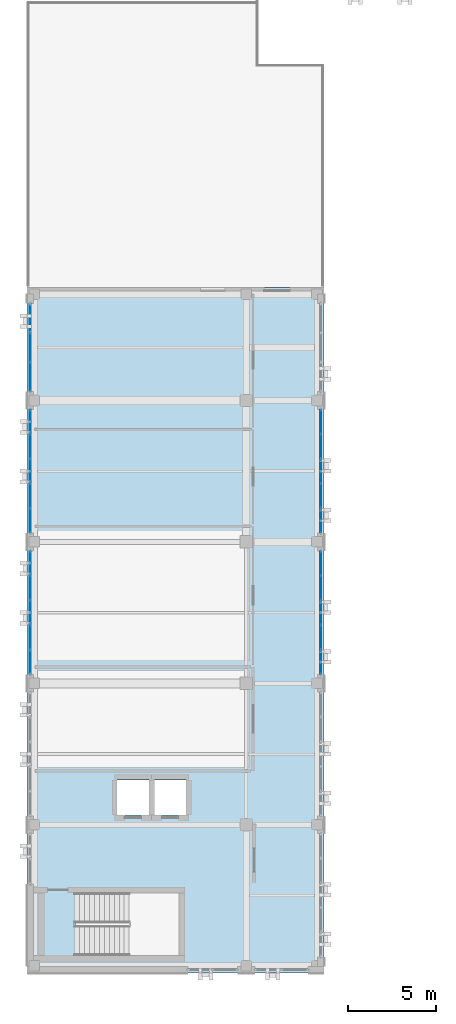
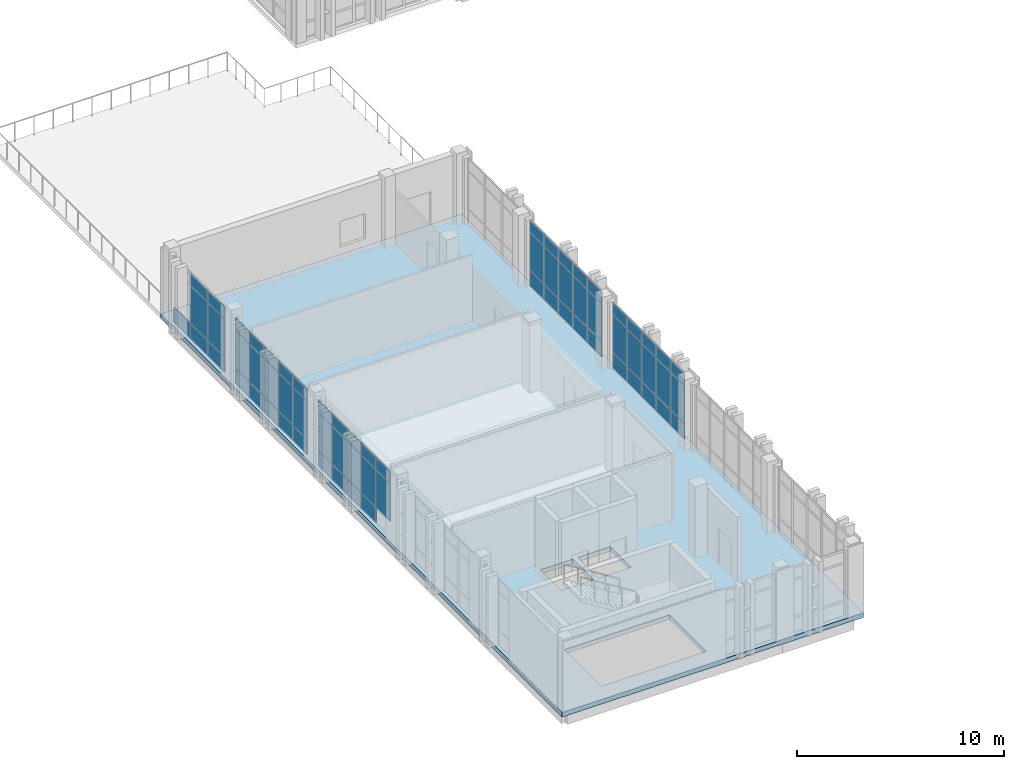
# One storey, part 52 of 77: 66 plates, 1 slab, 5 elements without a shape of their own.
"""IFC4 building model written with IfcOpenShell, lengths in metres."""

from ifc_helpers import new_model, si_unit, direction, frame, origin, origin_2d, place, context, subcontext, project, spatial, polyline, rectangle, outline, extrude, material, layer, layer_set, type_object, element, aggregate, save


model = new_model("IFC4")

# Units and contexts
model_context = context("Model", 3, precision=1e-05, world=origin(), true_north=direction((0.0, 1.0)))
body_context = subcontext(model_context, "Body", "Model", "MODEL_VIEW")
ifc_project = project(units=[si_unit("LENGTHUNIT", "METRE"), si_unit("AREAUNIT", "SQUARE_METRE"), si_unit("VOLUMEUNIT", "CUBIC_METRE"), si_unit("PLANEANGLEUNIT", "RADIAN"), si_unit("MASSUNIT", "GRAM", prefix="KILO")], contexts=[model_context])

# Site, building, storey
site_placement = place(None, origin())
site = spatial("IfcSite", under=ifc_project, at=site_placement, CompositionType="ELEMENT")
building_placement = place(site_placement, origin())
building = spatial("IfcBuilding", under=site, at=building_placement, Name="Qalavern Law Courts", CompositionType="ELEMENT")
storey_placement = place(building_placement, frame((0.0, 0.0, 27.0)))
storey = spatial("IfcBuildingStorey", under=building, at=storey_placement, Name="L06", CompositionType="ELEMENT", Elevation=27.0)

# Curtain wall, plates
ifc_material_1 = material(Name="Anodised aluminium and insulated glazing", Category="aluminium")
ifc_layer_1 = layer(ifc_material_1, 0.159912109375)
ifc_layer_set_1 = layer_set([ifc_layer_1], Name="Anodised aluminium and insulated glazing")
curtain_wall_type = type_object("IfcCurtainWallType", Name="ENV-CW-CHAMB", PredefinedType="USERDEFINED", material=ifc_layer_set_1)
curtain_wall_1_placement = place(storey_placement, origin())
curtain_wall_1 = element("IfcCurtainWall", 1, at=curtain_wall_1_placement, inside=storey, type_object=curtain_wall_type, Name="V3 unitised curtain wall L06 west 1", ObjectType="UNITISED CURTAIN WALL", PredefinedType="USERDEFINED")
ifc_material_2 = material(Name="Insulated low-E acoustic glazing", Category="glass")
ifc_layer_2 = layer(ifc_material_2, 0.031982421875)
ifc_layer_set_2 = layer_set([ifc_layer_2], Name="Insulated low-E acoustic glazing")
plate_type_1 = type_object("IfcPlateType", Name="ENV-CWP-32", PredefinedType="CURTAIN_PANEL", material=ifc_layer_set_2)
plate_1_placement = place(storey_placement, frame((2.18505859375, 78.042236328125, 0.048095703125), z_axis=(0.0, 0.0, 1.0), x_axis=(0.0, -1.0, 0.0)))
plate_1 = element("IfcPlate", 2, at=plate_1_placement, type_object=plate_type_1, Name="CW-04 panel 1.1", PredefinedType="CURTAIN_PANEL", context=body_context, shape_type="SweptSolid", body=[
    extrude(rectangle(XDim=1.589599609375, YDim=0.031982421875, at=origin_2d()), origin(), (0.0, 0.0, 1.0), 0.8779296875),
])
plate_2_placement = place(storey_placement, frame((2.18505859375, 76.392578125, 0.048095703125), z_axis=(0.0, 0.0, 1.0), x_axis=(0.0, -1.0, 0.0)))
plate_2 = element("IfcPlate", 3, at=plate_2_placement, type_object=plate_type_1, Name="CW-04 panel 2.1", PredefinedType="CURTAIN_PANEL", context=body_context, shape_type="SweptSolid", body=[
    extrude(rectangle(XDim=1.61376953125, YDim=0.031982421875, at=origin_2d()), origin(), (0.0, 0.0, 1.0), 0.8779296875),
])
plate_3_placement = place(storey_placement, frame((2.18505859375, 76.392578125, 0.973876953125), z_axis=(0.0, 0.0, 1.0), x_axis=(0.0, -1.0, 0.0)))
plate_3 = element("IfcPlate", 4, at=plate_3_placement, type_object=plate_type_1, Name="CW-04 panel 2.2", PredefinedType="CURTAIN_PANEL", context=body_context, shape_type="SweptSolid", body=[
    extrude(rectangle(XDim=1.61376953125, YDim=0.031982421875, at=origin_2d()), origin(), (0.0, 0.0, 1.0), 2.18701171875),
])
plate_4_placement = place(storey_placement, frame((2.18505859375, 76.392578125, 3.208984375), z_axis=(0.0, 0.0, 1.0), x_axis=(0.0, -1.0, 0.0)))
plate_4 = element("IfcPlate", 5, at=plate_4_placement, type_object=plate_type_1, Name="CW-04 panel 2.3", PredefinedType="CURTAIN_PANEL", context=body_context, shape_type="SweptSolid", body=[
    extrude(rectangle(XDim=1.61376953125, YDim=0.031982421875, at=origin_2d()), origin(), (0.0, 0.0, 1.0), 0.677978515625),
])
plate_5_placement = place(storey_placement, frame((2.18505859375, 74.742919921875, 0.048095703125), z_axis=(0.0, 0.0, 1.0), x_axis=(0.0, -1.0, 0.0)))
plate_5 = element("IfcPlate", 6, at=plate_5_placement, type_object=plate_type_1, Name="CW-04 panel 3.1", PredefinedType="CURTAIN_PANEL", context=body_context, shape_type="SweptSolid", body=[
    extrude(rectangle(XDim=1.589599609375, YDim=0.031982421875, at=origin_2d()), origin(), (0.0, 0.0, 1.0), 0.8779296875),
])
plate_6_placement = place(storey_placement, frame((2.18505859375, 74.742919921875, 0.973876953125), z_axis=(0.0, 0.0, 1.0), x_axis=(0.0, -1.0, 0.0)))
plate_6 = element("IfcPlate", 7, at=plate_6_placement, type_object=plate_type_1, Name="CW-04 panel 3.2", PredefinedType="CURTAIN_PANEL", context=body_context, shape_type="SweptSolid", body=[
    extrude(rectangle(XDim=1.589599609375, YDim=0.031982421875, at=origin_2d()), origin(), (0.0, 0.0, 1.0), 2.18701171875),
])
plate_7_placement = place(storey_placement, frame((2.18505859375, 74.742919921875, 3.208984375), z_axis=(0.0, 0.0, 1.0), x_axis=(0.0, -1.0, 0.0)))
plate_7 = element("IfcPlate", 8, at=plate_7_placement, type_object=plate_type_1, Name="CW-04 panel 3.3", PredefinedType="CURTAIN_PANEL", context=body_context, shape_type="SweptSolid", body=[
    extrude(rectangle(XDim=1.589599609375, YDim=0.031982421875, at=origin_2d()), origin(), (0.0, 0.0, 1.0), 0.677978515625),
])
aggregate(curtain_wall_1, [plate_1, plate_2, plate_3, plate_4, plate_5, plate_6, plate_7])

curtain_wall_2_placement = place(storey_placement, origin())
curtain_wall_2 = element("IfcCurtainWall", 9, at=curtain_wall_2_placement, inside=storey, type_object=curtain_wall_type, Name="V3 unitised curtain wall L06 west 2", ObjectType="UNITISED CURTAIN WALL", PredefinedType="USERDEFINED")
ifc_layer_3 = layer(ifc_material_2, 0.035888671875)
ifc_layer_set_3 = layer_set([ifc_layer_3], Name="Insulated low-E acoustic glazing")
plate_type_2 = type_object("IfcPlateType", Name="ENV-CWP-36", PredefinedType="CURTAIN_PANEL", material=ifc_layer_set_3)
plate_8_placement = place(storey_placement, frame((2.18505859375, 72.18798828125, 0.048095703125), z_axis=(0.0, 0.0, 1.0), x_axis=(0.0, -1.0, 0.0)))
plate_8 = element("IfcPlate", 10, at=plate_8_placement, type_object=plate_type_2, Name="CW-04 panel 1.1", PredefinedType="CURTAIN_PANEL", context=body_context, shape_type="SweptSolid", body=[
    extrude(rectangle(XDim=1.327880859375, YDim=0.035888671875, at=origin_2d()), origin(), (0.0, 0.0, 1.0), 0.8779296875),
])
plate_9_placement = place(storey_placement, frame((2.18505859375, 72.18798828125, 0.973876953125), z_axis=(0.0, 0.0, 1.0), x_axis=(0.0, -1.0, 0.0)))
plate_9 = element("IfcPlate", 11, at=plate_9_placement, type_object=plate_type_2, Name="CW-04 panel 1.2", PredefinedType="CURTAIN_PANEL", context=body_context, shape_type="SweptSolid", body=[
    extrude(rectangle(XDim=1.327880859375, YDim=0.035888671875, at=origin_2d()), origin(), (0.0, 0.0, 1.0), 2.18701171875),
])
plate_10_placement = place(storey_placement, frame((2.18505859375, 72.18798828125, 3.208984375), z_axis=(0.0, 0.0, 1.0), x_axis=(0.0, -1.0, 0.0)))
plate_10 = element("IfcPlate", 12, at=plate_10_placement, type_object=plate_type_2, Name="CW-04 panel 1.3", PredefinedType="CURTAIN_PANEL", context=body_context, shape_type="SweptSolid", body=[
    extrude(rectangle(XDim=1.327880859375, YDim=0.035888671875, at=origin_2d()), origin(), (0.0, 0.0, 1.0), 0.677978515625),
])
plate_11_placement = place(storey_placement, frame((2.18505859375, 70.800048828125, 0.048095703125), z_axis=(0.0, 0.0, 1.0), x_axis=(0.0, -1.0, 0.0)))
plate_11 = element("IfcPlate", 13, at=plate_11_placement, type_object=plate_type_2, Name="CW-04 panel 2.1", PredefinedType="CURTAIN_PANEL", context=body_context, shape_type="SweptSolid", body=[
    extrude(rectangle(XDim=1.35205078125, YDim=0.035888671875, at=origin_2d()), origin(), (0.0, 0.0, 1.0), 0.8779296875),
])
plate_12_placement = place(storey_placement, frame((2.18505859375, 70.800048828125, 0.973876953125), z_axis=(0.0, 0.0, 1.0), x_axis=(0.0, -1.0, 0.0)))
plate_12 = element("IfcPlate", 14, at=plate_12_placement, type_object=plate_type_2, Name="CW-04 panel 2.2", PredefinedType="CURTAIN_PANEL", context=body_context, shape_type="SweptSolid", body=[
    extrude(rectangle(XDim=1.35205078125, YDim=0.035888671875, at=origin_2d()), origin(), (0.0, 0.0, 1.0), 2.18701171875),
])
plate_13_placement = place(storey_placement, frame((2.18505859375, 70.800048828125, 3.208984375), z_axis=(0.0, 0.0, 1.0), x_axis=(0.0, -1.0, 0.0)))
plate_13 = element("IfcPlate", 15, at=plate_13_placement, type_object=plate_type_2, Name="CW-04 panel 2.3", PredefinedType="CURTAIN_PANEL", context=body_context, shape_type="SweptSolid", body=[
    extrude(rectangle(XDim=1.35205078125, YDim=0.035888671875, at=origin_2d()), origin(), (0.0, 0.0, 1.0), 0.677978515625),
])
plate_14_placement = place(storey_placement, frame((2.18505859375, 69.39990234375, 0.048095703125), z_axis=(0.0, 0.0, 1.0), x_axis=(0.0, -1.0, 0.0)))
plate_14 = element("IfcPlate", 16, at=plate_14_placement, type_object=plate_type_2, Name="CW-04 panel 3.1", PredefinedType="CURTAIN_PANEL", context=body_context, shape_type="SweptSolid", body=[
    extrude(rectangle(XDim=1.35205078125, YDim=0.035888671875, at=origin_2d()), origin(), (0.0, 0.0, 1.0), 0.8779296875),
])
plate_15_placement = place(storey_placement, frame((2.18505859375, 69.39990234375, 0.973876953125), z_axis=(0.0, 0.0, 1.0), x_axis=(0.0, -1.0, 0.0)))
plate_15 = element("IfcPlate", 17, at=plate_15_placement, type_object=plate_type_2, Name="CW-04 panel 3.2", PredefinedType="CURTAIN_PANEL", context=body_context, shape_type="SweptSolid", body=[
    extrude(rectangle(XDim=1.35205078125, YDim=0.035888671875, at=origin_2d()), origin(), (0.0, 0.0, 1.0), 2.18701171875),
])
plate_16_placement = place(storey_placement, frame((2.18505859375, 69.39990234375, 3.208984375), z_axis=(0.0, 0.0, 1.0), x_axis=(0.0, -1.0, 0.0)))
plate_16 = element("IfcPlate", 18, at=plate_16_placement, type_object=plate_type_2, Name="CW-04 panel 3.3", PredefinedType="CURTAIN_PANEL", context=body_context, shape_type="SweptSolid", body=[
    extrude(rectangle(XDim=1.35205078125, YDim=0.035888671875, at=origin_2d()), origin(), (0.0, 0.0, 1.0), 0.677978515625),
])
plate_17_placement = place(storey_placement, frame((2.18505859375, 68.0, 0.048095703125), z_axis=(0.0, 0.0, 1.0), x_axis=(0.0, -1.0, 0.0)))
plate_17 = element("IfcPlate", 19, at=plate_17_placement, type_object=plate_type_2, Name="CW-04 panel 4.1", PredefinedType="CURTAIN_PANEL", context=body_context, shape_type="SweptSolid", body=[
    extrude(rectangle(XDim=1.35205078125, YDim=0.035888671875, at=origin_2d()), origin(), (0.0, 0.0, 1.0), 0.8779296875),
])
plate_18_placement = place(storey_placement, frame((2.18505859375, 68.0, 0.973876953125), z_axis=(0.0, 0.0, 1.0), x_axis=(0.0, -1.0, 0.0)))
plate_18 = element("IfcPlate", 20, at=plate_18_placement, type_object=plate_type_2, Name="CW-04 panel 4.2", PredefinedType="CURTAIN_PANEL", context=body_context, shape_type="SweptSolid", body=[
    extrude(rectangle(XDim=1.35205078125, YDim=0.035888671875, at=origin_2d()), origin(), (0.0, 0.0, 1.0), 2.18701171875),
])
plate_19_placement = place(storey_placement, frame((2.18505859375, 68.0, 3.208984375), z_axis=(0.0, 0.0, 1.0), x_axis=(0.0, -1.0, 0.0)))
plate_19 = element("IfcPlate", 21, at=plate_19_placement, type_object=plate_type_2, Name="CW-04 panel 4.3", PredefinedType="CURTAIN_PANEL", context=body_context, shape_type="SweptSolid", body=[
    extrude(rectangle(XDim=1.35205078125, YDim=0.035888671875, at=origin_2d()), origin(), (0.0, 0.0, 1.0), 0.677978515625),
])
plate_20_placement = place(storey_placement, frame((2.18505859375, 66.612060546875, 0.048095703125), z_axis=(0.0, 0.0, 1.0), x_axis=(0.0, -1.0, 0.0)))
plate_20 = element("IfcPlate", 22, at=plate_20_placement, type_object=plate_type_2, Name="CW-04 panel 5.1", PredefinedType="CURTAIN_PANEL", context=body_context, shape_type="SweptSolid", body=[
    extrude(rectangle(XDim=1.327880859375, YDim=0.035888671875, at=origin_2d()), origin(), (0.0, 0.0, 1.0), 0.8779296875),
])
plate_21_placement = place(storey_placement, frame((2.18505859375, 66.612060546875, 0.973876953125), z_axis=(0.0, 0.0, 1.0), x_axis=(0.0, -1.0, 0.0)))
plate_21 = element("IfcPlate", 23, at=plate_21_placement, type_object=plate_type_2, Name="CW-04 panel 5.2", PredefinedType="CURTAIN_PANEL", context=body_context, shape_type="SweptSolid", body=[
    extrude(rectangle(XDim=1.327880859375, YDim=0.035888671875, at=origin_2d()), origin(), (0.0, 0.0, 1.0), 2.18701171875),
])
plate_22_placement = place(storey_placement, frame((2.18505859375, 66.612060546875, 3.208984375), z_axis=(0.0, 0.0, 1.0), x_axis=(0.0, -1.0, 0.0)))
plate_22 = element("IfcPlate", 24, at=plate_22_placement, type_object=plate_type_2, Name="CW-04 panel 5.3", PredefinedType="CURTAIN_PANEL", context=body_context, shape_type="SweptSolid", body=[
    extrude(rectangle(XDim=1.327880859375, YDim=0.035888671875, at=origin_2d()), origin(), (0.0, 0.0, 1.0), 0.677978515625),
])
aggregate(curtain_wall_2, [plate_8, plate_9, plate_10, plate_11, plate_12, plate_13, plate_14, plate_15, plate_16, plate_17, plate_18, plate_19, plate_20, plate_21, plate_22])

curtain_wall_3_placement = place(storey_placement, origin())
curtain_wall_3 = element("IfcCurtainWall", 25, at=curtain_wall_3_placement, inside=storey, type_object=curtain_wall_type, Name="V3 unitised curtain wall L06 east 3", ObjectType="UNITISED CURTAIN WALL", PredefinedType="USERDEFINED")
ifc_layer_4 = layer(ifc_material_2, 0.0400390625)
ifc_layer_set_4 = layer_set([ifc_layer_4], Name="Insulated low-E acoustic glazing")
plate_type_3 = type_object("IfcPlateType", Name="ENV-CWP-40", PredefinedType="CURTAIN_PANEL", material=ifc_layer_set_4)
plate_23_placement = place(storey_placement, frame((18.614990234375, 58.612060546875, 0.048095703125), z_axis=(0.0, 0.0, 1.0), x_axis=(0.0, 1.0, 0.0)))
plate_23 = element("IfcPlate", 26, at=plate_23_placement, type_object=plate_type_3, Name="CW-04 panel 1.1", PredefinedType="CURTAIN_PANEL", context=body_context, shape_type="SweptSolid", body=[
    extrude(rectangle(XDim=1.327880859375, YDim=0.0400390625, at=origin_2d()), origin(), (0.0, 0.0, 1.0), 0.8779296875),
])
plate_24_placement = place(storey_placement, frame((18.614990234375, 58.612060546875, 0.973876953125), z_axis=(0.0, 0.0, 1.0), x_axis=(0.0, 1.0, 0.0)))
plate_24 = element("IfcPlate", 27, at=plate_24_placement, type_object=plate_type_3, Name="CW-04 panel 1.2", PredefinedType="CURTAIN_PANEL", context=body_context, shape_type="SweptSolid", body=[
    extrude(rectangle(XDim=1.327880859375, YDim=0.0400390625, at=origin_2d()), origin(), (0.0, 0.0, 1.0), 2.18701171875),
])
plate_25_placement = place(storey_placement, frame((18.614990234375, 58.612060546875, 3.208984375), z_axis=(0.0, 0.0, 1.0), x_axis=(0.0, 1.0, 0.0)))
plate_25 = element("IfcPlate", 28, at=plate_25_placement, type_object=plate_type_3, Name="CW-04 panel 1.3", PredefinedType="CURTAIN_PANEL", context=body_context, shape_type="SweptSolid", body=[
    extrude(rectangle(XDim=1.327880859375, YDim=0.0400390625, at=origin_2d()), origin(), (0.0, 0.0, 1.0), 0.677978515625),
])
plate_26_placement = place(storey_placement, frame((18.614990234375, 60.0, 0.048095703125), z_axis=(0.0, 0.0, 1.0), x_axis=(0.0, 1.0, 0.0)))
plate_26 = element("IfcPlate", 29, at=plate_26_placement, type_object=plate_type_3, Name="CW-04 panel 2.1", PredefinedType="CURTAIN_PANEL", context=body_context, shape_type="SweptSolid", body=[
    extrude(rectangle(XDim=1.35205078125, YDim=0.0400390625, at=origin_2d()), origin(), (0.0, 0.0, 1.0), 0.8779296875),
])
plate_27_placement = place(storey_placement, frame((18.614990234375, 60.0, 0.973876953125), z_axis=(0.0, 0.0, 1.0), x_axis=(0.0, 1.0, 0.0)))
plate_27 = element("IfcPlate", 30, at=plate_27_placement, type_object=plate_type_3, Name="CW-04 panel 2.2", PredefinedType="CURTAIN_PANEL", context=body_context, shape_type="SweptSolid", body=[
    extrude(rectangle(XDim=1.35205078125, YDim=0.0400390625, at=origin_2d()), origin(), (0.0, 0.0, 1.0), 2.18701171875),
])
plate_28_placement = place(storey_placement, frame((18.614990234375, 60.0, 3.208984375), z_axis=(0.0, 0.0, 1.0), x_axis=(0.0, 1.0, 0.0)))
plate_28 = element("IfcPlate", 31, at=plate_28_placement, type_object=plate_type_3, Name="CW-04 panel 2.3", PredefinedType="CURTAIN_PANEL", context=body_context, shape_type="SweptSolid", body=[
    extrude(rectangle(XDim=1.35205078125, YDim=0.0400390625, at=origin_2d()), origin(), (0.0, 0.0, 1.0), 0.677978515625),
])
plate_29_placement = place(storey_placement, frame((18.614990234375, 61.39990234375, 0.048095703125), z_axis=(0.0, 0.0, 1.0), x_axis=(0.0, 1.0, 0.0)))
plate_29 = element("IfcPlate", 32, at=plate_29_placement, type_object=plate_type_3, Name="CW-04 panel 3.1", PredefinedType="CURTAIN_PANEL", context=body_context, shape_type="SweptSolid", body=[
    extrude(rectangle(XDim=1.35205078125, YDim=0.0400390625, at=origin_2d()), origin(), (0.0, 0.0, 1.0), 0.8779296875),
])
plate_30_placement = place(storey_placement, frame((18.614990234375, 61.39990234375, 0.973876953125), z_axis=(0.0, 0.0, 1.0), x_axis=(0.0, 1.0, 0.0)))
plate_30 = element("IfcPlate", 33, at=plate_30_placement, type_object=plate_type_3, Name="CW-04 panel 3.2", PredefinedType="CURTAIN_PANEL", context=body_context, shape_type="SweptSolid", body=[
    extrude(rectangle(XDim=1.35205078125, YDim=0.0400390625, at=origin_2d()), origin(), (0.0, 0.0, 1.0), 2.18701171875),
])
plate_31_placement = place(storey_placement, frame((18.614990234375, 61.39990234375, 3.208984375), z_axis=(0.0, 0.0, 1.0), x_axis=(0.0, 1.0, 0.0)))
plate_31 = element("IfcPlate", 34, at=plate_31_placement, type_object=plate_type_3, Name="CW-04 panel 3.3", PredefinedType="CURTAIN_PANEL", context=body_context, shape_type="SweptSolid", body=[
    extrude(rectangle(XDim=1.35205078125, YDim=0.0400390625, at=origin_2d()), origin(), (0.0, 0.0, 1.0), 0.677978515625),
])
plate_32_placement = place(storey_placement, frame((18.614990234375, 62.800048828125, 0.048095703125), z_axis=(0.0, 0.0, 1.0), x_axis=(0.0, 1.0, 0.0)))
plate_32 = element("IfcPlate", 35, at=plate_32_placement, type_object=plate_type_3, Name="CW-04 panel 4.1", PredefinedType="CURTAIN_PANEL", context=body_context, shape_type="SweptSolid", body=[
    extrude(rectangle(XDim=1.35205078125, YDim=0.0400390625, at=origin_2d()), origin(), (0.0, 0.0, 1.0), 0.8779296875),
])
plate_33_placement = place(storey_placement, frame((18.614990234375, 62.800048828125, 0.973876953125), z_axis=(0.0, 0.0, 1.0), x_axis=(0.0, 1.0, 0.0)))
plate_33 = element("IfcPlate", 36, at=plate_33_placement, type_object=plate_type_3, Name="CW-04 panel 4.2", PredefinedType="CURTAIN_PANEL", context=body_context, shape_type="SweptSolid", body=[
    extrude(rectangle(XDim=1.35205078125, YDim=0.0400390625, at=origin_2d()), origin(), (0.0, 0.0, 1.0), 2.18701171875),
])
plate_34_placement = place(storey_placement, frame((18.614990234375, 62.800048828125, 3.208984375), z_axis=(0.0, 0.0, 1.0), x_axis=(0.0, 1.0, 0.0)))
plate_34 = element("IfcPlate", 37, at=plate_34_placement, type_object=plate_type_3, Name="CW-04 panel 4.3", PredefinedType="CURTAIN_PANEL", context=body_context, shape_type="SweptSolid", body=[
    extrude(rectangle(XDim=1.35205078125, YDim=0.0400390625, at=origin_2d()), origin(), (0.0, 0.0, 1.0), 0.677978515625),
])
plate_35_placement = place(storey_placement, frame((18.614990234375, 64.18798828125, 0.048095703125), z_axis=(0.0, 0.0, 1.0), x_axis=(0.0, 1.0, 0.0)))
plate_35 = element("IfcPlate", 38, at=plate_35_placement, type_object=plate_type_3, Name="CW-04 panel 5.1", PredefinedType="CURTAIN_PANEL", context=body_context, shape_type="SweptSolid", body=[
    extrude(rectangle(XDim=1.327880859375, YDim=0.0400390625, at=origin_2d()), origin(), (0.0, 0.0, 1.0), 0.8779296875),
])
plate_36_placement = place(storey_placement, frame((18.614990234375, 64.18798828125, 0.973876953125), z_axis=(0.0, 0.0, 1.0), x_axis=(0.0, 1.0, 0.0)))
plate_36 = element("IfcPlate", 39, at=plate_36_placement, type_object=plate_type_3, Name="CW-04 panel 5.2", PredefinedType="CURTAIN_PANEL", context=body_context, shape_type="SweptSolid", body=[
    extrude(rectangle(XDim=1.327880859375, YDim=0.0400390625, at=origin_2d()), origin(), (0.0, 0.0, 1.0), 2.18701171875),
])
plate_37_placement = place(storey_placement, frame((18.614990234375, 64.18798828125, 3.208984375), z_axis=(0.0, 0.0, 1.0), x_axis=(0.0, 1.0, 0.0)))
plate_37 = element("IfcPlate", 40, at=plate_37_placement, type_object=plate_type_3, Name="CW-04 panel 5.3", PredefinedType="CURTAIN_PANEL", context=body_context, shape_type="SweptSolid", body=[
    extrude(rectangle(XDim=1.327880859375, YDim=0.0400390625, at=origin_2d()), origin(), (0.0, 0.0, 1.0), 0.677978515625),
])
aggregate(curtain_wall_3, [plate_23, plate_24, plate_25, plate_26, plate_27, plate_28, plate_29, plate_30, plate_31, plate_32, plate_33, plate_34, plate_35, plate_36, plate_37])

curtain_wall_4_placement = place(storey_placement, origin())
curtain_wall_4 = element("IfcCurtainWall", 41, at=curtain_wall_4_placement, inside=storey, type_object=curtain_wall_type, Name="V3 unitised curtain wall L06 west 3", ObjectType="UNITISED CURTAIN WALL", PredefinedType="USERDEFINED")
plate_38_placement = place(storey_placement, frame((2.18505859375, 64.18798828125, 0.048095703125), z_axis=(0.0, 0.0, 1.0), x_axis=(0.0, -1.0, 0.0)))
plate_38 = element("IfcPlate", 42, at=plate_38_placement, type_object=plate_type_3, Name="CW-04 panel 1.1", PredefinedType="CURTAIN_PANEL", context=body_context, shape_type="SweptSolid", body=[
    extrude(rectangle(XDim=1.327880859375, YDim=0.0400390625, at=origin_2d()), origin(), (0.0, 0.0, 1.0), 0.8779296875),
])
plate_39_placement = place(storey_placement, frame((2.18505859375, 64.18798828125, 0.973876953125), z_axis=(0.0, 0.0, 1.0), x_axis=(0.0, -1.0, 0.0)))
plate_39 = element("IfcPlate", 43, at=plate_39_placement, type_object=plate_type_3, Name="CW-04 panel 1.2", PredefinedType="CURTAIN_PANEL", context=body_context, shape_type="SweptSolid", body=[
    extrude(rectangle(XDim=1.327880859375, YDim=0.0400390625, at=origin_2d()), origin(), (0.0, 0.0, 1.0), 2.18701171875),
])
plate_40_placement = place(storey_placement, frame((2.18505859375, 64.18798828125, 3.208984375), z_axis=(0.0, 0.0, 1.0), x_axis=(0.0, -1.0, 0.0)))
plate_40 = element("IfcPlate", 44, at=plate_40_placement, type_object=plate_type_3, Name="CW-04 panel 1.3", PredefinedType="CURTAIN_PANEL", context=body_context, shape_type="SweptSolid", body=[
    extrude(rectangle(XDim=1.327880859375, YDim=0.0400390625, at=origin_2d()), origin(), (0.0, 0.0, 1.0), 0.677978515625),
])
plate_41_placement = place(storey_placement, frame((2.18505859375, 62.800048828125, 0.048095703125), z_axis=(0.0, 0.0, 1.0), x_axis=(0.0, -1.0, 0.0)))
plate_41 = element("IfcPlate", 45, at=plate_41_placement, type_object=plate_type_3, Name="CW-04 panel 2.1", PredefinedType="CURTAIN_PANEL", context=body_context, shape_type="SweptSolid", body=[
    extrude(rectangle(XDim=1.35205078125, YDim=0.0400390625, at=origin_2d()), origin(), (0.0, 0.0, 1.0), 0.8779296875),
])
plate_42_placement = place(storey_placement, frame((2.18505859375, 62.800048828125, 0.973876953125), z_axis=(0.0, 0.0, 1.0), x_axis=(0.0, -1.0, 0.0)))
plate_42 = element("IfcPlate", 46, at=plate_42_placement, type_object=plate_type_3, Name="CW-04 panel 2.2", PredefinedType="CURTAIN_PANEL", context=body_context, shape_type="SweptSolid", body=[
    extrude(rectangle(XDim=1.35205078125, YDim=0.0400390625, at=origin_2d()), origin(), (0.0, 0.0, 1.0), 2.18701171875),
])
plate_43_placement = place(storey_placement, frame((2.18505859375, 62.800048828125, 3.208984375), z_axis=(0.0, 0.0, 1.0), x_axis=(0.0, -1.0, 0.0)))
plate_43 = element("IfcPlate", 47, at=plate_43_placement, type_object=plate_type_3, Name="CW-04 panel 2.3", PredefinedType="CURTAIN_PANEL", context=body_context, shape_type="SweptSolid", body=[
    extrude(rectangle(XDim=1.35205078125, YDim=0.0400390625, at=origin_2d()), origin(), (0.0, 0.0, 1.0), 0.677978515625),
])
plate_44_placement = place(storey_placement, frame((2.18505859375, 61.39990234375, 0.048095703125), z_axis=(0.0, 0.0, 1.0), x_axis=(0.0, -1.0, 0.0)))
plate_44 = element("IfcPlate", 48, at=plate_44_placement, type_object=plate_type_3, Name="CW-04 panel 3.1", PredefinedType="CURTAIN_PANEL", context=body_context, shape_type="SweptSolid", body=[
    extrude(rectangle(XDim=1.35205078125, YDim=0.0400390625, at=origin_2d()), origin(), (0.0, 0.0, 1.0), 0.8779296875),
])
plate_45_placement = place(storey_placement, frame((2.18505859375, 61.39990234375, 0.973876953125), z_axis=(0.0, 0.0, 1.0), x_axis=(0.0, -1.0, 0.0)))
plate_45 = element("IfcPlate", 49, at=plate_45_placement, type_object=plate_type_3, Name="CW-04 panel 3.2", PredefinedType="CURTAIN_PANEL", context=body_context, shape_type="SweptSolid", body=[
    extrude(rectangle(XDim=1.35205078125, YDim=0.0400390625, at=origin_2d()), origin(), (0.0, 0.0, 1.0), 2.18701171875),
])
plate_46_placement = place(storey_placement, frame((2.18505859375, 61.39990234375, 3.208984375), z_axis=(0.0, 0.0, 1.0), x_axis=(0.0, -1.0, 0.0)))
plate_46 = element("IfcPlate", 50, at=plate_46_placement, type_object=plate_type_3, Name="CW-04 panel 3.3", PredefinedType="CURTAIN_PANEL", context=body_context, shape_type="SweptSolid", body=[
    extrude(rectangle(XDim=1.35205078125, YDim=0.0400390625, at=origin_2d()), origin(), (0.0, 0.0, 1.0), 0.677978515625),
])
plate_47_placement = place(storey_placement, frame((2.18505859375, 60.0, 0.048095703125), z_axis=(0.0, 0.0, 1.0), x_axis=(0.0, -1.0, 0.0)))
plate_47 = element("IfcPlate", 51, at=plate_47_placement, type_object=plate_type_3, Name="CW-04 panel 4.1", PredefinedType="CURTAIN_PANEL", context=body_context, shape_type="SweptSolid", body=[
    extrude(rectangle(XDim=1.35205078125, YDim=0.0400390625, at=origin_2d()), origin(), (0.0, 0.0, 1.0), 0.8779296875),
])
plate_48_placement = place(storey_placement, frame((2.18505859375, 60.0, 0.973876953125), z_axis=(0.0, 0.0, 1.0), x_axis=(0.0, -1.0, 0.0)))
plate_48 = element("IfcPlate", 52, at=plate_48_placement, type_object=plate_type_3, Name="CW-04 panel 4.2", PredefinedType="CURTAIN_PANEL", context=body_context, shape_type="SweptSolid", body=[
    extrude(rectangle(XDim=1.35205078125, YDim=0.0400390625, at=origin_2d()), origin(), (0.0, 0.0, 1.0), 2.18701171875),
])
plate_49_placement = place(storey_placement, frame((2.18505859375, 60.0, 3.208984375), z_axis=(0.0, 0.0, 1.0), x_axis=(0.0, -1.0, 0.0)))
plate_49 = element("IfcPlate", 53, at=plate_49_placement, type_object=plate_type_3, Name="CW-04 panel 4.3", PredefinedType="CURTAIN_PANEL", context=body_context, shape_type="SweptSolid", body=[
    extrude(rectangle(XDim=1.35205078125, YDim=0.0400390625, at=origin_2d()), origin(), (0.0, 0.0, 1.0), 0.677978515625),
])
plate_50_placement = place(storey_placement, frame((2.18505859375, 58.612060546875, 0.973876953125), z_axis=(0.0, 0.0, 1.0), x_axis=(0.0, -1.0, 0.0)))
plate_50 = element("IfcPlate", 54, at=plate_50_placement, type_object=plate_type_3, Name="CW-04 panel 5.2", PredefinedType="CURTAIN_PANEL", context=body_context, shape_type="SweptSolid", body=[
    extrude(rectangle(XDim=1.327880859375, YDim=0.0400390625, at=origin_2d()), origin(), (0.0, 0.0, 1.0), 2.18701171875),
])
plate_51_placement = place(storey_placement, frame((2.18505859375, 58.612060546875, 3.208984375), z_axis=(0.0, 0.0, 1.0), x_axis=(0.0, -1.0, 0.0)))
plate_51 = element("IfcPlate", 55, at=plate_51_placement, type_object=plate_type_3, Name="CW-04 panel 5.3", PredefinedType="CURTAIN_PANEL", context=body_context, shape_type="SweptSolid", body=[
    extrude(rectangle(XDim=1.327880859375, YDim=0.0400390625, at=origin_2d()), origin(), (0.0, 0.0, 1.0), 0.677978515625),
])
aggregate(curtain_wall_4, [plate_38, plate_39, plate_40, plate_41, plate_42, plate_43, plate_44, plate_45, plate_46, plate_47, plate_48, plate_49, plate_50, plate_51])

curtain_wall_5_placement = place(storey_placement, origin())
curtain_wall_5 = element("IfcCurtainWall", 56, at=curtain_wall_5_placement, inside=storey, type_object=curtain_wall_type, Name="V3 unitised curtain wall L06 east 4", ObjectType="UNITISED CURTAIN WALL", PredefinedType="USERDEFINED")
ifc_layer_5 = layer(ifc_material_2, 0.0439453125)
ifc_layer_set_5 = layer_set([ifc_layer_5], Name="Insulated low-E acoustic glazing")
plate_type_4 = type_object("IfcPlateType", Name="ENV-CWP-44", PredefinedType="CURTAIN_PANEL", material=ifc_layer_set_5)
plate_52_placement = place(storey_placement, frame((18.614990234375, 66.612060546875, 0.048095703125), z_axis=(0.0, 0.0, 1.0), x_axis=(0.0, 1.0, 0.0)))
plate_52 = element("IfcPlate", 57, at=plate_52_placement, type_object=plate_type_4, Name="CW-04 panel 1.1", PredefinedType="CURTAIN_PANEL", context=body_context, shape_type="SweptSolid", body=[
    extrude(rectangle(XDim=1.327880859375, YDim=0.0439453125, at=origin_2d()), origin(), (0.0, 0.0, 1.0), 0.8779296875),
])
plate_53_placement = place(storey_placement, frame((18.614990234375, 66.612060546875, 0.973876953125), z_axis=(0.0, 0.0, 1.0), x_axis=(0.0, 1.0, 0.0)))
plate_53 = element("IfcPlate", 58, at=plate_53_placement, type_object=plate_type_4, Name="CW-04 panel 1.2", PredefinedType="CURTAIN_PANEL", context=body_context, shape_type="SweptSolid", body=[
    extrude(rectangle(XDim=1.327880859375, YDim=0.0439453125, at=origin_2d()), origin(), (0.0, 0.0, 1.0), 2.18701171875),
])
plate_54_placement = place(storey_placement, frame((18.614990234375, 66.612060546875, 3.208984375), z_axis=(0.0, 0.0, 1.0), x_axis=(0.0, 1.0, 0.0)))
plate_54 = element("IfcPlate", 59, at=plate_54_placement, type_object=plate_type_4, Name="CW-04 panel 1.3", PredefinedType="CURTAIN_PANEL", context=body_context, shape_type="SweptSolid", body=[
    extrude(rectangle(XDim=1.327880859375, YDim=0.0439453125, at=origin_2d()), origin(), (0.0, 0.0, 1.0), 0.677978515625),
])
plate_55_placement = place(storey_placement, frame((18.614990234375, 68.0, 0.048095703125), z_axis=(0.0, 0.0, 1.0), x_axis=(0.0, 1.0, 0.0)))
plate_55 = element("IfcPlate", 60, at=plate_55_placement, type_object=plate_type_4, Name="CW-04 panel 2.1", PredefinedType="CURTAIN_PANEL", context=body_context, shape_type="SweptSolid", body=[
    extrude(rectangle(XDim=1.35205078125, YDim=0.0439453125, at=origin_2d()), origin(), (0.0, 0.0, 1.0), 0.8779296875),
])
plate_56_placement = place(storey_placement, frame((18.614990234375, 68.0, 0.973876953125), z_axis=(0.0, 0.0, 1.0), x_axis=(0.0, 1.0, 0.0)))
plate_56 = element("IfcPlate", 61, at=plate_56_placement, type_object=plate_type_4, Name="CW-04 panel 2.2", PredefinedType="CURTAIN_PANEL", context=body_context, shape_type="SweptSolid", body=[
    extrude(rectangle(XDim=1.35205078125, YDim=0.0439453125, at=origin_2d()), origin(), (0.0, 0.0, 1.0), 2.18701171875),
])
plate_57_placement = place(storey_placement, frame((18.614990234375, 68.0, 3.208984375), z_axis=(0.0, 0.0, 1.0), x_axis=(0.0, 1.0, 0.0)))
plate_57 = element("IfcPlate", 62, at=plate_57_placement, type_object=plate_type_4, Name="CW-04 panel 2.3", PredefinedType="CURTAIN_PANEL", context=body_context, shape_type="SweptSolid", body=[
    extrude(rectangle(XDim=1.35205078125, YDim=0.0439453125, at=origin_2d()), origin(), (0.0, 0.0, 1.0), 0.677978515625),
])
plate_58_placement = place(storey_placement, frame((18.614990234375, 69.39990234375, 0.048095703125), z_axis=(0.0, 0.0, 1.0), x_axis=(0.0, 1.0, 0.0)))
plate_58 = element("IfcPlate", 63, at=plate_58_placement, type_object=plate_type_4, Name="CW-04 panel 3.1", PredefinedType="CURTAIN_PANEL", context=body_context, shape_type="SweptSolid", body=[
    extrude(rectangle(XDim=1.35205078125, YDim=0.0439453125, at=origin_2d()), origin(), (0.0, 0.0, 1.0), 0.8779296875),
])
plate_59_placement = place(storey_placement, frame((18.614990234375, 69.39990234375, 0.973876953125), z_axis=(0.0, 0.0, 1.0), x_axis=(0.0, 1.0, 0.0)))
plate_59 = element("IfcPlate", 64, at=plate_59_placement, type_object=plate_type_4, Name="CW-04 panel 3.2", PredefinedType="CURTAIN_PANEL", context=body_context, shape_type="SweptSolid", body=[
    extrude(rectangle(XDim=1.35205078125, YDim=0.0439453125, at=origin_2d()), origin(), (0.0, 0.0, 1.0), 2.18701171875),
])
plate_60_placement = place(storey_placement, frame((18.614990234375, 69.39990234375, 3.208984375), z_axis=(0.0, 0.0, 1.0), x_axis=(0.0, 1.0, 0.0)))
plate_60 = element("IfcPlate", 65, at=plate_60_placement, type_object=plate_type_4, Name="CW-04 panel 3.3", PredefinedType="CURTAIN_PANEL", context=body_context, shape_type="SweptSolid", body=[
    extrude(rectangle(XDim=1.35205078125, YDim=0.0439453125, at=origin_2d()), origin(), (0.0, 0.0, 1.0), 0.677978515625),
])
plate_61_placement = place(storey_placement, frame((18.614990234375, 70.800048828125, 0.048095703125), z_axis=(0.0, 0.0, 1.0), x_axis=(0.0, 1.0, 0.0)))
plate_61 = element("IfcPlate", 66, at=plate_61_placement, type_object=plate_type_4, Name="CW-04 panel 4.1", PredefinedType="CURTAIN_PANEL", context=body_context, shape_type="SweptSolid", body=[
    extrude(rectangle(XDim=1.35205078125, YDim=0.0439453125, at=origin_2d()), origin(), (0.0, 0.0, 1.0), 0.8779296875),
])
plate_62_placement = place(storey_placement, frame((18.614990234375, 70.800048828125, 0.973876953125), z_axis=(0.0, 0.0, 1.0), x_axis=(0.0, 1.0, 0.0)))
plate_62 = element("IfcPlate", 67, at=plate_62_placement, type_object=plate_type_4, Name="CW-04 panel 4.2", PredefinedType="CURTAIN_PANEL", context=body_context, shape_type="SweptSolid", body=[
    extrude(rectangle(XDim=1.35205078125, YDim=0.0439453125, at=origin_2d()), origin(), (0.0, 0.0, 1.0), 2.18701171875),
])
plate_63_placement = place(storey_placement, frame((18.614990234375, 70.800048828125, 3.208984375), z_axis=(0.0, 0.0, 1.0), x_axis=(0.0, 1.0, 0.0)))
plate_63 = element("IfcPlate", 68, at=plate_63_placement, type_object=plate_type_4, Name="CW-04 panel 4.3", PredefinedType="CURTAIN_PANEL", context=body_context, shape_type="SweptSolid", body=[
    extrude(rectangle(XDim=1.35205078125, YDim=0.0439453125, at=origin_2d()), origin(), (0.0, 0.0, 1.0), 0.677978515625),
])
plate_64_placement = place(storey_placement, frame((18.614990234375, 72.18798828125, 0.048095703125), z_axis=(0.0, 0.0, 1.0), x_axis=(0.0, 1.0, 0.0)))
plate_64 = element("IfcPlate", 69, at=plate_64_placement, type_object=plate_type_4, Name="CW-04 panel 5.1", PredefinedType="CURTAIN_PANEL", context=body_context, shape_type="SweptSolid", body=[
    extrude(rectangle(XDim=1.327880859375, YDim=0.0439453125, at=origin_2d()), origin(), (0.0, 0.0, 1.0), 0.8779296875),
])
plate_65_placement = place(storey_placement, frame((18.614990234375, 72.18798828125, 0.973876953125), z_axis=(0.0, 0.0, 1.0), x_axis=(0.0, 1.0, 0.0)))
plate_65 = element("IfcPlate", 70, at=plate_65_placement, type_object=plate_type_4, Name="CW-04 panel 5.2", PredefinedType="CURTAIN_PANEL", context=body_context, shape_type="SweptSolid", body=[
    extrude(rectangle(XDim=1.327880859375, YDim=0.0439453125, at=origin_2d()), origin(), (0.0, 0.0, 1.0), 2.18701171875),
])
plate_66_placement = place(storey_placement, frame((18.614990234375, 72.18798828125, 3.208984375), z_axis=(0.0, 0.0, 1.0), x_axis=(0.0, 1.0, 0.0)))
plate_66 = element("IfcPlate", 71, at=plate_66_placement, type_object=plate_type_4, Name="CW-04 panel 5.3", PredefinedType="CURTAIN_PANEL", context=body_context, shape_type="SweptSolid", body=[
    extrude(rectangle(XDim=1.327880859375, YDim=0.0439453125, at=origin_2d()), origin(), (0.0, 0.0, 1.0), 0.677978515625),
])
aggregate(curtain_wall_5, [plate_52, plate_53, plate_54, plate_55, plate_56, plate_57, plate_58, plate_59, plate_60, plate_61, plate_62, plate_63, plate_64, plate_65, plate_66])

# Slab
ifc_material_3 = material(Name="Concrete C35/45", Category="concrete")
ifc_layer_6 = layer(ifc_material_3, 0.27001953125)
ifc_layer_set_6 = layer_set([ifc_layer_6], Name="Concrete C35/45")
slab_type = type_object("IfcSlabType", Name="STR-SLB-L06-270", PredefinedType="FLOOR", material=ifc_layer_set_6)
slab_placement = place(storey_placement, frame((0.0, 0.0, -0.27001953125)))
element("IfcSlab", 72, at=slab_placement, inside=storey, type_object=slab_type, Name="V3 floor slab L06", PredefinedType="FLOOR", context=body_context, shape_type="SweptSolid", body=[
    extrude(outline(polyline([(2.0, 41.02001953125), (18.800048828125, 41.02001953125), (18.800048828125, 79.800048828125), (2.0, 79.800048828125), (2.0, 41.02001953125)]), holes=[polyline([(4.739990234375, 42.0), (10.60009765625, 42.0), (10.60009765625, 45.550048828125), (4.739990234375, 45.550048828125), (4.739990234375, 42.0)]), polyline([(7.10009765625, 49.949951171875), (8.89990234375, 49.949951171875), (8.89990234375, 51.949951171875), (7.10009765625, 51.949951171875), (7.10009765625, 49.949951171875)]), polyline([(9.199951171875, 49.949951171875), (11.0, 49.949951171875), (11.0, 51.949951171875), (9.199951171875, 51.949951171875), (9.199951171875, 49.949951171875)])]), origin(), (0.0, 0.0, 1.0), 0.27001953125),
])

save(model, "model.ifc")
